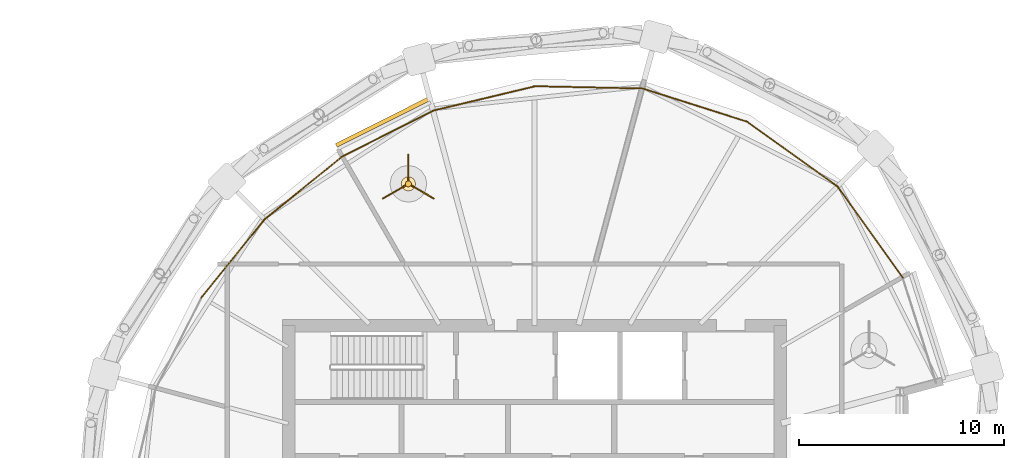
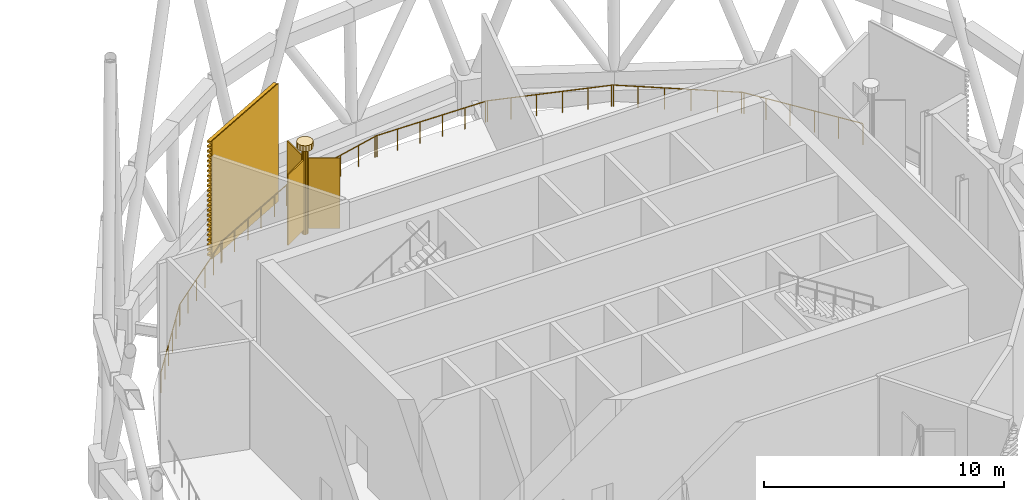
# One storey, part 21 of 22: 8 railings, 5 coverings, 1 shading device.
"""IFC4 building model written with IfcOpenShell, lengths in metres."""

from ifc_helpers import new_model, si_unit, direction, frame, origin, origin_2d, place, context, subcontext, project, spatial, polyline, circle, outline, extrude, material, material_profile, profile_set, type_object, element, save


model = new_model("IFC4")

# Units and contexts
model_context = context("Model", 3, precision=1e-05, world=origin(), true_north=direction((0.0, 1.0)))
body_context = subcontext(model_context, "Body", "Model", "MODEL_VIEW")
ifc_project = project(units=[si_unit("LENGTHUNIT", "METRE"), si_unit("AREAUNIT", "SQUARE_METRE"), si_unit("VOLUMEUNIT", "CUBIC_METRE"), si_unit("PLANEANGLEUNIT", "RADIAN"), si_unit("MASSUNIT", "GRAM", prefix="KILO")], contexts=[model_context])

# Site, building, storey
site_placement = place(None, origin())
site = spatial("IfcSite", under=ifc_project, at=site_placement, CompositionType="ELEMENT")
building_placement = place(site_placement, origin())
building = spatial("IfcBuilding", under=site, at=building_placement, Name="Rimbun Link Towers", CompositionType="ELEMENT")
storey_placement = place(building_placement, frame((0.0, 0.0, 204.5)))
storey = spatial("IfcBuildingStorey", under=building, at=storey_placement, Name="L50", CompositionType="ELEMENT", Elevation=204.5)

# Railings
ifc_material_1 = material(Name="Stainless steel grade 316", Category="steel")
railing_type = type_object("IfcRailingType", Name="GUARD stainless rail and posts", PredefinedType="GUARDRAIL", material=ifc_material_1)
railing_1_placement = place(storey_placement, frame((42.083251953125, 17.989501953125, 0.0)))
element("IfcRailing", 1, at=railing_1_placement, inside=storey, type_object=railing_type, Name="GUARD open storey edge", PredefinedType="GUARDRAIL", context=body_context, shape_type="SweptSolid", body=[
    extrude(circle(Radius=0.02392578125, at=origin_2d()), frame((0.0, 0.0, 1.076171875), z_axis=(0.812467365968, -0.583006671691, 0.0), x_axis=(0.583006671691, 0.812467365968, 0.0)), (0.0, 0.0, 1.0), 5.53271484375),
    extrude(circle(Radius=0.02099609375, at=origin_2d()), origin(), (0.0, 0.0, 1.0), 1.052001953125),
    extrude(circle(Radius=0.02099609375, at=origin_2d()), frame((0.89892578125, -0.64501953125, 0.0)), (0.0, 0.0, 1.0), 1.052001953125),
    extrude(circle(Radius=0.02099609375, at=origin_2d()), frame((1.798095703125, -1.290283203125, 0.0)), (0.0, 0.0, 1.0), 1.052001953125),
    extrude(circle(Radius=0.02099609375, at=origin_2d()), frame((2.697021484375, -1.935302734375, 0.0)), (0.0, 0.0, 1.0), 1.052001953125),
    extrude(circle(Radius=0.02099609375, at=origin_2d()), frame((3.59619140625, -2.58056640625, 0.0)), (0.0, 0.0, 1.0), 1.052001953125),
    extrude(circle(Radius=0.02099609375, at=origin_2d()), frame((4.4951171875, -3.2255859375, 0.0)), (0.0, 0.0, 1.0), 1.052001953125),
])
railing_2_placement = place(storey_placement, frame((36.9541015625, 19.60009765625, 0.0)))
element("IfcRailing", 2, at=railing_2_placement, inside=storey, type_object=railing_type, Name="GUARD open storey edge", PredefinedType="GUARDRAIL", context=body_context, shape_type="SweptSolid", body=[
    extrude(circle(Radius=0.02392578125, at=origin_2d()), frame((0.0, 0.0, 1.076171875), z_axis=(0.952966255781, -0.303076418322, 0.0), x_axis=(0.303076418322, 0.952966255781, 0.0)), (0.0, 0.0, 1.0), 5.46484375),
    extrude(circle(Radius=0.02099609375, at=origin_2d()), origin(), (0.0, 0.0, 1.0), 1.052001953125),
    extrude(circle(Radius=0.02099609375, at=origin_2d()), frame((1.04150390625, -0.331298828125, 0.0)), (0.0, 0.0, 1.0), 1.052001953125),
    extrude(circle(Radius=0.02099609375, at=origin_2d()), frame((2.0830078125, -0.66259765625, 0.0)), (0.0, 0.0, 1.0), 1.052001953125),
    extrude(circle(Radius=0.02099609375, at=origin_2d()), frame((3.124755859375, -0.99365234375, 0.0)), (0.0, 0.0, 1.0), 1.052001953125),
    extrude(circle(Radius=0.02099609375, at=origin_2d()), frame((4.166259765625, -1.324951171875, 0.0)), (0.0, 0.0, 1.0), 1.052001953125),
    extrude(circle(Radius=0.02099609375, at=origin_2d()), frame((5.207763671875, -1.65625, 0.0)), (0.0, 0.0, 1.0), 1.052001953125),
])
railing_3_placement = place(storey_placement, frame((31.70361328125, 19.688720703125, 0.0)))
element("IfcRailing", 3, at=railing_3_placement, inside=storey, type_object=railing_type, Name="GUARD open storey edge", PredefinedType="GUARDRAIL", context=body_context, shape_type="SweptSolid", body=[
    extrude(circle(Radius=0.02392578125, at=origin_2d()), frame((0.0, 0.0, 1.076171875), z_axis=(0.999777828464, -0.021078275813, 0.0), x_axis=(0.021078275813, 0.999777828464, 0.0)), (0.0, 0.0, 1.0), 5.339599609375),
    extrude(circle(Radius=0.02099609375, at=origin_2d()), origin(), (0.0, 0.0, 1.0), 1.052001953125),
    extrude(circle(Radius=0.02099609375, at=origin_2d()), frame((1.067626953125, -0.0224609375, 0.0)), (0.0, 0.0, 1.0), 1.052001953125),
    extrude(circle(Radius=0.02099609375, at=origin_2d()), frame((2.13525390625, -0.044921875, 0.0)), (0.0, 0.0, 1.0), 1.052001953125),
    extrude(circle(Radius=0.02099609375, at=origin_2d()), frame((3.203125, -0.067626953125, 0.0)), (0.0, 0.0, 1.0), 1.052001953125),
    extrude(circle(Radius=0.02099609375, at=origin_2d()), frame((4.270751953125, -0.090087890625, 0.0)), (0.0, 0.0, 1.0), 1.052001953125),
    extrude(circle(Radius=0.02099609375, at=origin_2d()), frame((5.33837890625, -0.112548828125, 0.0)), (0.0, 0.0, 1.0), 1.052001953125),
])
railing_4_placement = place(storey_placement, frame((26.749755859375, 18.48193359375, 0.0)))
element("IfcRailing", 4, at=railing_4_placement, inside=storey, type_object=railing_type, Name="GUARD open storey edge", PredefinedType="GUARDRAIL", context=body_context, shape_type="SweptSolid", body=[
    extrude(circle(Radius=0.02392578125, at=origin_2d()), frame((0.0, 0.0, 1.076171875), z_axis=(0.972566856821, 0.23262353495, 0.0), x_axis=(-0.23262353495, 0.972566856821, 0.0)), (0.0, 0.0, 1.0), 5.187744140625),
    extrude(circle(Radius=0.02099609375, at=origin_2d()), origin(), (0.0, 0.0, 1.0), 1.052001953125),
    extrude(circle(Radius=0.02099609375, at=origin_2d()), frame((1.009033203125, 0.241455078125, 0.0)), (0.0, 0.0, 1.0), 1.052001953125),
    extrude(circle(Radius=0.02099609375, at=origin_2d()), frame((2.01806640625, 0.482666015625, 0.0)), (0.0, 0.0, 1.0), 1.052001953125),
    extrude(circle(Radius=0.02099609375, at=origin_2d()), frame((3.02734375, 0.72412109375, 0.0)), (0.0, 0.0, 1.0), 1.052001953125),
    extrude(circle(Radius=0.02099609375, at=origin_2d()), frame((4.036376953125, 0.96533203125, 0.0)), (0.0, 0.0, 1.0), 1.052001953125),
    extrude(circle(Radius=0.02099609375, at=origin_2d()), frame((5.04541015625, 1.206787109375, 0.0)), (0.0, 0.0, 1.0), 1.052001953125),
])
railing_5_placement = place(storey_placement, frame((18.532958984375, 13.152099609375, 0.0)))
element("IfcRailing", 5, at=railing_5_placement, inside=storey, type_object=railing_type, Name="GUARD open storey edge", PredefinedType="GUARDRAIL", context=body_context, shape_type="SweptSolid", body=[
    extrude(circle(Radius=0.02392578125, at=origin_2d()), frame((0.0, 0.0, 1.076171875), z_axis=(0.777266575126, 0.629171416382, 0.0), x_axis=(-0.629171416382, 0.777266575126, 0.0)), (0.0, 0.0, 1.0), 4.97705078125),
    extrude(circle(Radius=0.02099609375, at=origin_2d()), origin(), (0.0, 0.0, 1.0), 1.052001953125),
    extrude(circle(Radius=0.02099609375, at=origin_2d()), frame((0.773681640625, 0.626220703125, 0.0)), (0.0, 0.0, 1.0), 1.052001953125),
    extrude(circle(Radius=0.02099609375, at=origin_2d()), frame((1.54736328125, 1.25244140625, 0.0)), (0.0, 0.0, 1.0), 1.052001953125),
    extrude(circle(Radius=0.02099609375, at=origin_2d()), frame((2.321044921875, 1.87890625, 0.0)), (0.0, 0.0, 1.0), 1.052001953125),
    extrude(circle(Radius=0.02099609375, at=origin_2d()), frame((3.0947265625, 2.505126953125, 0.0)), (0.0, 0.0, 1.0), 1.052001953125),
    extrude(circle(Radius=0.02099609375, at=origin_2d()), frame((3.868408203125, 3.13134765625, 0.0)), (0.0, 0.0, 1.0), 1.052001953125),
])
railing_6_placement = place(storey_placement, frame((15.466552734375, 9.3486328125, 0.0)))
element("IfcRailing", 6, at=railing_6_placement, inside=storey, type_object=railing_type, Name="GUARD open storey edge", PredefinedType="GUARDRAIL", context=body_context, shape_type="SweptSolid", body=[
    extrude(circle(Radius=0.02392578125, at=origin_2d()), frame((0.0, 0.0, 1.076171875), z_axis=(0.629171416382, 0.777266575126, 0.0), x_axis=(-0.777266575126, 0.629171416382, 0.0)), (0.0, 0.0, 1.0), 4.97705078125),
    extrude(circle(Radius=0.02099609375, at=origin_2d()), origin(), (0.0, 0.0, 1.0), 1.052001953125),
    extrude(circle(Radius=0.02099609375, at=origin_2d()), frame((0.626220703125, 0.773681640625, 0.0)), (0.0, 0.0, 1.0), 1.052001953125),
    extrude(circle(Radius=0.02099609375, at=origin_2d()), frame((1.25244140625, 1.54736328125, 0.0)), (0.0, 0.0, 1.0), 1.052001953125),
    extrude(circle(Radius=0.02099609375, at=origin_2d()), frame((1.87890625, 2.321044921875, 0.0)), (0.0, 0.0, 1.0), 1.052001953125),
    extrude(circle(Radius=0.02099609375, at=origin_2d()), frame((2.505126953125, 3.0947265625, 0.0)), (0.0, 0.0, 1.0), 1.052001953125),
    extrude(circle(Radius=0.02099609375, at=origin_2d()), frame((3.13134765625, 3.868408203125, 0.0)), (0.0, 0.0, 1.0), 1.052001953125),
])
railing_7_placement = place(storey_placement, frame((46.513916015625, 14.828369140625, 0.0)))
element("IfcRailing", 7, at=railing_7_placement, inside=storey, type_object=railing_type, Name="GUARD open storey edge", PredefinedType="GUARDRAIL", context=body_context, shape_type="SweptSolid", body=[
    extrude(circle(Radius=0.02392578125, at=origin_2d()), frame((0.0, 0.0, 1.076171875), z_axis=(0.583006671691, -0.812467365968, 0.0), x_axis=(0.812467365968, 0.583006671691, 0.0)), (0.0, 0.0, 1.0), 5.53271484375),
    extrude(circle(Radius=0.02099609375, at=origin_2d()), origin(), (0.0, 0.0, 1.0), 1.052001953125),
    extrude(circle(Radius=0.02099609375, at=origin_2d()), frame((0.64501953125, -0.89892578125, 0.0)), (0.0, 0.0, 1.0), 1.052001953125),
    extrude(circle(Radius=0.02099609375, at=origin_2d()), frame((1.290283203125, -1.798095703125, 0.0)), (0.0, 0.0, 1.0), 1.052001953125),
    extrude(circle(Radius=0.02099609375, at=origin_2d()), frame((1.935302734375, -2.697021484375, 0.0)), (0.0, 0.0, 1.0), 1.052001953125),
    extrude(circle(Radius=0.02099609375, at=origin_2d()), frame((2.58056640625, -3.59619140625, 0.0)), (0.0, 0.0, 1.0), 1.052001953125),
    extrude(circle(Radius=0.02099609375, at=origin_2d()), frame((3.2255859375, -4.4951171875, 0.0)), (0.0, 0.0, 1.0), 1.052001953125),
])
railing_8_placement = place(storey_placement, frame((22.322021484375, 16.237548828125, 0.0)))
element("IfcRailing", 8, at=railing_8_placement, inside=storey, type_object=railing_type, Name="GUARD slot edge", PredefinedType="GUARDRAIL", context=body_context, shape_type="SweptSolid", body=[
    extrude(circle(Radius=0.02392578125, at=origin_2d()), frame((0.0, 0.0, 1.076171875), z_axis=(0.893643237599, 0.448778078669, 0.0), x_axis=(-0.448778078669, 0.893643237599, 0.0)), (0.0, 0.0, 1.0), 5.053955078125),
    extrude(circle(Radius=0.02099609375, at=origin_2d()), origin(), (0.0, 0.0, 1.0), 1.052001953125),
    extrude(circle(Radius=0.02099609375, at=origin_2d()), frame((0.9033203125, 0.45361328125, 0.0)), (0.0, 0.0, 1.0), 1.052001953125),
    extrude(circle(Radius=0.02099609375, at=origin_2d()), frame((1.806640625, 0.9072265625, 0.0)), (0.0, 0.0, 1.0), 1.052001953125),
    extrude(circle(Radius=0.02099609375, at=origin_2d()), frame((2.709716796875, 1.36083984375, 0.0)), (0.0, 0.0, 1.0), 1.052001953125),
    extrude(circle(Radius=0.02099609375, at=origin_2d()), frame((3.613037109375, 1.814453125, 0.0)), (0.0, 0.0, 1.0), 1.052001953125),
    extrude(circle(Radius=0.02099609375, at=origin_2d()), frame((4.516357421875, 2.26806640625, 0.0)), (0.0, 0.0, 1.0), 1.052001953125),
])

# Shading device
ifc_material_2 = material(Name="Aluminium 6063-T6", Category="aluminium")
ifc_material_profile = material_profile(ifc_material_2, outline(polyline([(0.123046875, 0.0), (0.1630859375, 0.0), (0.1630859375, 0.10009765625), (0.363037109375, 0.10009765625), (0.363037109375, 0.199951171875), (0.1630859375, 0.199951171875), (0.1630859375, 0.35009765625), (0.363037109375, 0.35009765625), (0.363037109375, 0.449951171875), (0.1630859375, 0.449951171875), (0.1630859375, 0.60009765625), (0.363037109375, 0.60009765625), (0.363037109375, 0.699951171875), (0.1630859375, 0.699951171875), (0.1630859375, 0.85009765625), (0.363037109375, 0.85009765625), (0.363037109375, 0.949951171875), (0.1630859375, 0.949951171875), (0.1630859375, 1.10009765625), (0.363037109375, 1.10009765625), (0.363037109375, 1.199951171875), (0.1630859375, 1.199951171875), (0.1630859375, 1.35009765625), (0.363037109375, 1.35009765625), (0.363037109375, 1.449951171875), (0.1630859375, 1.449951171875), (0.1630859375, 1.60009765625), (0.363037109375, 1.60009765625), (0.363037109375, 1.699951171875), (0.1630859375, 1.699951171875), (0.1630859375, 1.85009765625), (0.363037109375, 1.85009765625), (0.363037109375, 1.949951171875), (0.1630859375, 1.949951171875), (0.1630859375, 2.10009765625), (0.363037109375, 2.10009765625), (0.363037109375, 2.199951171875), (0.1630859375, 2.199951171875), (0.1630859375, 2.35009765625), (0.363037109375, 2.35009765625), (0.363037109375, 2.449951171875), (0.1630859375, 2.449951171875), (0.1630859375, 2.60009765625), (0.363037109375, 2.60009765625), (0.363037109375, 2.699951171875), (0.1630859375, 2.699951171875), (0.1630859375, 2.85009765625), (0.363037109375, 2.85009765625), (0.363037109375, 2.949951171875), (0.1630859375, 2.949951171875), (0.1630859375, 3.10009765625), (0.363037109375, 3.10009765625), (0.363037109375, 3.199951171875), (0.1630859375, 3.199951171875), (0.1630859375, 3.35009765625), (0.363037109375, 3.35009765625), (0.363037109375, 3.449951171875), (0.1630859375, 3.449951171875), (0.1630859375, 3.60009765625), (0.363037109375, 3.60009765625), (0.363037109375, 3.699951171875), (0.1630859375, 3.699951171875), (0.1630859375, 3.85009765625), (0.363037109375, 3.85009765625), (0.363037109375, 3.949951171875), (0.1630859375, 3.949951171875), (0.1630859375, 4.10009765625), (0.363037109375, 4.10009765625), (0.363037109375, 4.199951171875), (0.1630859375, 4.199951171875), (0.1630859375, 4.35009765625), (0.363037109375, 4.35009765625), (0.363037109375, 4.449951171875), (0.1630859375, 4.449951171875), (0.1630859375, 4.60009765625), (0.363037109375, 4.60009765625), (0.363037109375, 4.699951171875), (0.1630859375, 4.699951171875), (0.1630859375, 4.85009765625), (0.363037109375, 4.85009765625), (0.363037109375, 4.949951171875), (0.1630859375, 4.949951171875), (0.1630859375, 5.10009765625), (0.363037109375, 5.10009765625), (0.363037109375, 5.199951171875), (0.1630859375, 5.199951171875), (0.1630859375, 5.35009765625), (0.363037109375, 5.35009765625), (0.363037109375, 5.449951171875), (0.1630859375, 5.449951171875), (0.1630859375, 5.60009765625), (0.363037109375, 5.60009765625), (0.363037109375, 5.699951171875), (0.1630859375, 5.699951171875), (0.1630859375, 5.85009765625), (0.363037109375, 5.85009765625), (0.363037109375, 5.949951171875), (0.1630859375, 5.949951171875), (0.1630859375, 6.0), (0.123046875, 6.0), (0.123046875, 0.0)])), Name="LOUVRE BLADES 100X240")
ifc_profile_set = profile_set([ifc_material_profile], Name="Aluminium 6063-T6")
shading_device_type = type_object("IfcShadingDeviceType", Name="LOUVRE SLOT BLADES 100X240 H6000", PredefinedType="JALOUSIE", material=ifc_profile_set)
shading_device_placement = place(storey_placement, frame((22.1884765625, 16.56103515625, 0.0), z_axis=(0.893643237599, 0.448778078669, 0.0), x_axis=(-0.448778078669, 0.893643237599, 0.0)))
element("IfcShadingDevice", 9, at=shading_device_placement, inside=storey, type_object=shading_device_type, Name="LOUVRE slot blades", PredefinedType="JALOUSIE", context=body_context, shape_type="SweptSolid", body=[
    extrude(outline(polyline([(0.123046875, 0.0), (0.1630859375, 0.0), (0.1630859375, 0.10009765625), (0.363037109375, 0.10009765625), (0.363037109375, 0.199951171875), (0.1630859375, 0.199951171875), (0.1630859375, 0.35009765625), (0.363037109375, 0.35009765625), (0.363037109375, 0.449951171875), (0.1630859375, 0.449951171875), (0.1630859375, 0.60009765625), (0.363037109375, 0.60009765625), (0.363037109375, 0.699951171875), (0.1630859375, 0.699951171875), (0.1630859375, 0.85009765625), (0.363037109375, 0.85009765625), (0.363037109375, 0.949951171875), (0.1630859375, 0.949951171875), (0.1630859375, 1.10009765625), (0.363037109375, 1.10009765625), (0.363037109375, 1.199951171875), (0.1630859375, 1.199951171875), (0.1630859375, 1.35009765625), (0.363037109375, 1.35009765625), (0.363037109375, 1.449951171875), (0.1630859375, 1.449951171875), (0.1630859375, 1.60009765625), (0.363037109375, 1.60009765625), (0.363037109375, 1.699951171875), (0.1630859375, 1.699951171875), (0.1630859375, 1.85009765625), (0.363037109375, 1.85009765625), (0.363037109375, 1.949951171875), (0.1630859375, 1.949951171875), (0.1630859375, 2.10009765625), (0.363037109375, 2.10009765625), (0.363037109375, 2.199951171875), (0.1630859375, 2.199951171875), (0.1630859375, 2.35009765625), (0.363037109375, 2.35009765625), (0.363037109375, 2.449951171875), (0.1630859375, 2.449951171875), (0.1630859375, 2.60009765625), (0.363037109375, 2.60009765625), (0.363037109375, 2.699951171875), (0.1630859375, 2.699951171875), (0.1630859375, 2.85009765625), (0.363037109375, 2.85009765625), (0.363037109375, 2.949951171875), (0.1630859375, 2.949951171875), (0.1630859375, 3.10009765625), (0.363037109375, 3.10009765625), (0.363037109375, 3.199951171875), (0.1630859375, 3.199951171875), (0.1630859375, 3.35009765625), (0.363037109375, 3.35009765625), (0.363037109375, 3.449951171875), (0.1630859375, 3.449951171875), (0.1630859375, 3.60009765625), (0.363037109375, 3.60009765625), (0.363037109375, 3.699951171875), (0.1630859375, 3.699951171875), (0.1630859375, 3.85009765625), (0.363037109375, 3.85009765625), (0.363037109375, 3.949951171875), (0.1630859375, 3.949951171875), (0.1630859375, 4.10009765625), (0.363037109375, 4.10009765625), (0.363037109375, 4.199951171875), (0.1630859375, 4.199951171875), (0.1630859375, 4.35009765625), (0.363037109375, 4.35009765625), (0.363037109375, 4.449951171875), (0.1630859375, 4.449951171875), (0.1630859375, 4.60009765625), (0.363037109375, 4.60009765625), (0.363037109375, 4.699951171875), (0.1630859375, 4.699951171875), (0.1630859375, 4.85009765625), (0.363037109375, 4.85009765625), (0.363037109375, 4.949951171875), (0.1630859375, 4.949951171875), (0.1630859375, 5.10009765625), (0.363037109375, 5.10009765625), (0.363037109375, 5.199951171875), (0.1630859375, 5.199951171875), (0.1630859375, 5.35009765625), (0.363037109375, 5.35009765625), (0.363037109375, 5.449951171875), (0.1630859375, 5.449951171875), (0.1630859375, 5.60009765625), (0.363037109375, 5.60009765625), (0.363037109375, 5.699951171875), (0.1630859375, 5.699951171875), (0.1630859375, 5.85009765625), (0.363037109375, 5.85009765625), (0.363037109375, 5.949951171875), (0.1630859375, 5.949951171875), (0.1630859375, 6.0), (0.123046875, 6.0), (0.123046875, 0.0)])), origin(), (0.0, 0.0, 1.0), 5.053955078125),
])

# Coverings
ifc_material_3 = material(Name="Stainless steel grade 316", Category="steel")
covering_type_1 = type_object("IfcCoveringType", Name="WIND TURBINE bearing collar 700X300", PredefinedType="CLADDING", material=ifc_material_3)
covering_1_placement = place(storey_placement, frame((0.0, 0.0, 5.56005859375)))
element("IfcCovering", 10, at=covering_1_placement, inside=storey, type_object=covering_type_1, Name="WIND TURBINE bearing collar", PredefinedType="CLADDING", context=body_context, shape_type="SweptSolid", body=[
    extrude(outline(polyline([(25.941162109375, 14.922119140625), (25.91455078125, 15.055908203125), (25.838623046875, 15.16943359375), (25.72509765625, 15.245361328125), (25.59130859375, 15.27197265625), (25.457275390625, 15.245361328125), (25.34375, 15.16943359375), (25.267822265625, 15.055908203125), (25.2412109375, 14.922119140625), (25.267822265625, 14.7880859375), (25.34375, 14.674560546875), (25.457275390625, 14.5986328125), (25.59130859375, 14.572021484375), (25.72509765625, 14.5986328125), (25.838623046875, 14.674560546875), (25.91455078125, 14.7880859375), (25.941162109375, 14.922119140625)])), origin(), (0.0, 0.0, 1.0), 0.300048828125),
])
ifc_material_4 = material(Name="Aluminium 6063-T6", Category="aluminium")
covering_type_2 = type_object("IfcCoveringType", Name="WIND TURBINE blade 1302X60X3560", PredefinedType="CLADDING", material=ifc_material_4)
covering_2_placement = place(storey_placement, frame((0.0, 0.0, 1.449951171875)))
element("IfcCovering", 11, at=covering_2_placement, inside=storey, type_object=covering_type_2, Name="WIND TURBINE blade", PredefinedType="CLADDING", context=body_context, shape_type="SweptSolid", body=[
    extrude(outline(polyline([(25.62109375, 15.070068359375), (25.62109375, 16.3720703125), (25.561279296875, 16.3720703125), (25.561279296875, 15.070068359375), (25.62109375, 15.070068359375)])), origin(), (0.0, 0.0, 1.0), 3.56005859375),
])
covering_3_placement = place(storey_placement, frame((0.0, 0.0, 1.449951171875)))
element("IfcCovering", 12, at=covering_3_placement, inside=storey, type_object=covering_type_2, Name="WIND TURBINE blade", PredefinedType="CLADDING", context=body_context, shape_type="SweptSolid", body=[
    extrude(outline(polyline([(25.447998046875, 14.8740234375), (24.320556640625, 14.222900390625), (24.350341796875, 14.171142578125), (25.47802734375, 14.822021484375), (25.447998046875, 14.8740234375)])), origin(), (0.0, 0.0, 1.0), 3.56005859375),
])
covering_4_placement = place(storey_placement, frame((0.0, 0.0, 1.449951171875)))
element("IfcCovering", 13, at=covering_4_placement, inside=storey, type_object=covering_type_2, Name="WIND TURBINE blade", PredefinedType="CLADDING", context=body_context, shape_type="SweptSolid", body=[
    extrude(outline(polyline([(25.704345703125, 14.822021484375), (26.83203125, 14.171142578125), (26.86181640625, 14.222900390625), (25.734375, 14.8740234375), (25.704345703125, 14.822021484375)])), origin(), (0.0, 0.0, 1.0), 3.56005859375),
])
ifc_material_5 = material(Name="Stainless steel grade 316", Category="steel")
covering_type_3 = type_object("IfcCoveringType", Name="WIND TURBINE shaft 300X4360", PredefinedType="CLADDING", material=ifc_material_5)
covering_5_placement = place(storey_placement, frame((0.0, 0.0, 1.199951171875)))
element("IfcCovering", 14, at=covering_5_placement, inside=storey, type_object=covering_type_3, Name="WIND TURBINE shaft", PredefinedType="CLADDING", context=body_context, shape_type="SweptSolid", body=[
    extrude(outline(polyline([(25.7412109375, 14.922119140625), (25.729736328125, 14.9794921875), (25.697265625, 15.028076171875), (25.648681640625, 15.060546875), (25.59130859375, 15.072021484375), (25.53369140625, 15.060546875), (25.485107421875, 15.028076171875), (25.45263671875, 14.9794921875), (25.441162109375, 14.922119140625), (25.45263671875, 14.864501953125), (25.485107421875, 14.81591796875), (25.53369140625, 14.783447265625), (25.59130859375, 14.77197265625), (25.648681640625, 14.783447265625), (25.697265625, 14.81591796875), (25.729736328125, 14.864501953125), (25.7412109375, 14.922119140625)])), origin(), (0.0, 0.0, 1.0), 4.360107421875),
])

save(model, "model.ifc")
